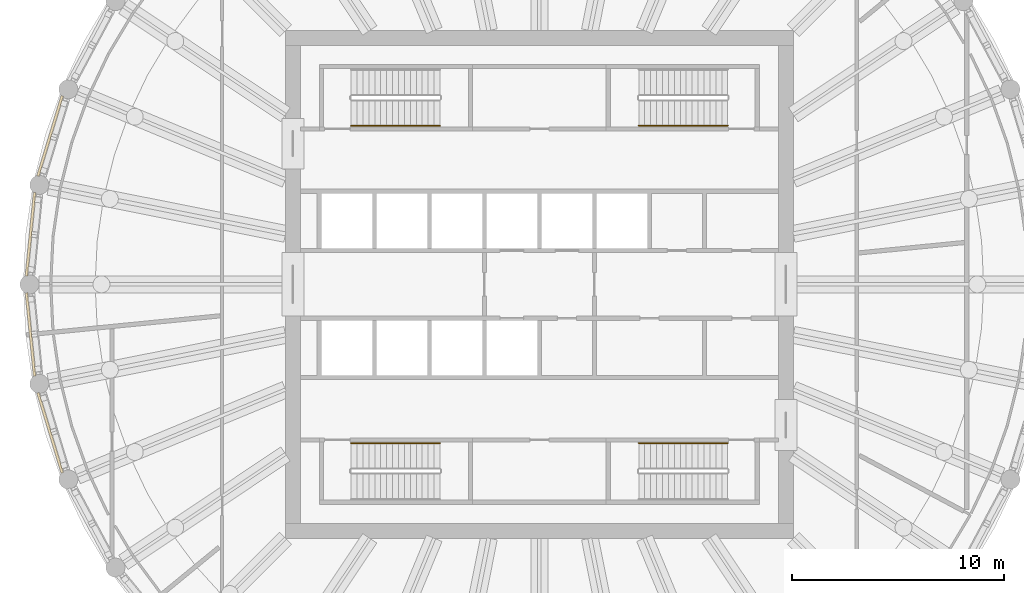
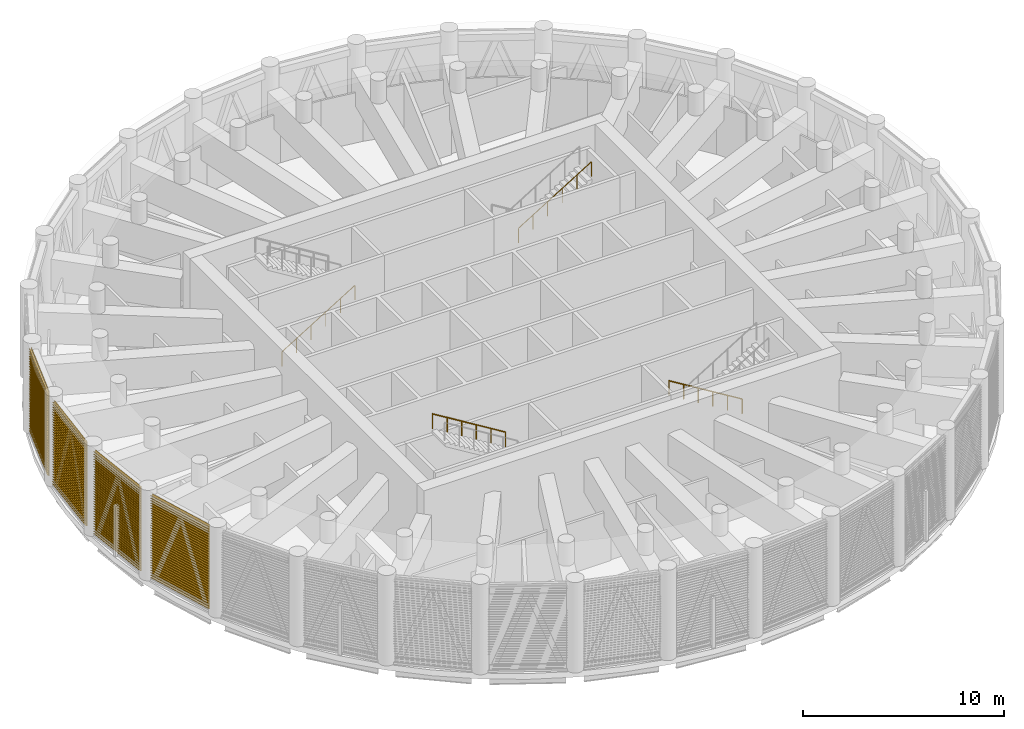
# One storey, part 14 of 19: 4 railings, 4 shading devices, 4 elements without a shape of their own.
"""IFC4 building model written with IfcOpenShell, lengths in metres."""

from ifc_helpers import new_model, si_unit, direction, frame, origin, origin_2d, place, context, subcontext, project, spatial, polyline, circle, outline, extrude, material, material_profile, profile_set, type_object, element, aggregate, save


model = new_model("IFC4")

# Units and contexts
model_context = context("Model", 3, precision=1e-05, world=origin(), true_north=direction((0.0, 1.0)))
body_context = subcontext(model_context, "Body", "Model", "MODEL_VIEW")
ifc_project = project(units=[si_unit("LENGTHUNIT", "METRE"), si_unit("AREAUNIT", "SQUARE_METRE"), si_unit("VOLUMEUNIT", "CUBIC_METRE"), si_unit("PLANEANGLEUNIT", "RADIAN"), si_unit("MASSUNIT", "GRAM", prefix="KILO")], contexts=[model_context])

# Site, building, storey
site_placement = place(None, origin())
site = spatial("IfcSite", under=ifc_project, at=site_placement, CompositionType="ELEMENT")
building_placement = place(site_placement, origin())
building = spatial("IfcBuilding", under=site, at=building_placement, Name="Corvane Civic Tower", CompositionType="ELEMENT")
storey_placement = place(building_placement, frame((0.0, 0.0, 319.0)))
storey = spatial("IfcBuildingStorey", under=building, at=storey_placement, Name="L76", CompositionType="ELEMENT", Elevation=319.0)

# Railings
ifc_material_1 = material(Name="Steel ASTM A572 Gr 50", Category="steel")
railing_type = type_object("IfcRailingType", Name="ST-HANDRAIL-900", PredefinedType="HANDRAIL", material=ifc_material_1)
railing_1_placement = place(storey_placement, frame((4.699951171875, 7.5, 2.921875)))
element("IfcRailing", 1, at=railing_1_placement, inside=storey, type_object=railing_type, Name="L76 ST1 stair handrail 2", PredefinedType="HANDRAIL", context=body_context, shape_type="SweptSolid", body=[
    extrude(circle(Radius=0.02392578125, at=origin_2d()), frame((0.0, 0.0, 0.8759765625), z_axis=(0.852242915053, 0.0, 0.523146264196), x_axis=(0.0, 1.0, 0.0)), (0.0, 0.0, 1.0), 4.92822265625),
    extrude(circle(Radius=0.02099609375, at=origin_2d()), origin(), (0.0, 0.0, 1.0), 0.851806640625),
    extrude(circle(Radius=0.02099609375, at=origin_2d()), frame((0.840087890625, 0.0, 0.515625)), (0.0, 0.0, 1.0), 0.851806640625),
    extrude(circle(Radius=0.02099609375, at=origin_2d()), frame((1.679931640625, 0.0, 1.03125)), (0.0, 0.0, 1.0), 0.851806640625),
    extrude(circle(Radius=0.02099609375, at=origin_2d()), frame((2.52001953125, 0.0, 1.546875)), (0.0, 0.0, 1.0), 0.851806640625),
    extrude(circle(Radius=0.02099609375, at=origin_2d()), frame((3.35986328125, 0.0, 2.0625)), (0.0, 0.0, 1.0), 0.851806640625),
    extrude(circle(Radius=0.02099609375, at=origin_2d()), frame((4.199951171875, 0.0, 2.578125)), (0.0, 0.0, 1.0), 0.851806640625),
])
for number, where, name in (
    (2, (8.89990234375, -7.5, 0.171875), "L76 ST2 stair handrail 1"),
    (3, (-4.699951171875, -7.5, 2.921875), "L76 ST3 stair handrail 2"),
):
    element("IfcRailing", number, at=place(storey_placement, frame(where)), inside=storey, type_object=railing_type, Name=name, PredefinedType="HANDRAIL", context=body_context, shape_type="SweptSolid", body=[
        extrude(circle(Radius=0.02392578125, at=origin_2d()), frame((0.0, 0.0, 0.8759765625), z_axis=(-0.852242915053, 0.0, 0.523146264196), x_axis=(0.0, -1.0, 0.0)), (0.0, 0.0, 1.0), 4.92822265625),
        extrude(circle(Radius=0.02099609375, at=origin_2d()), origin(), (0.0, 0.0, 1.0), 0.851806640625),
        extrude(circle(Radius=0.02099609375, at=origin_2d()), frame((-0.840087890625, 0.0, 0.515625)), (0.0, 0.0, 1.0), 0.851806640625),
        extrude(circle(Radius=0.02099609375, at=origin_2d()), frame((-1.679931640625, 0.0, 1.03125)), (0.0, 0.0, 1.0), 0.851806640625),
        extrude(circle(Radius=0.02099609375, at=origin_2d()), frame((-2.52001953125, 0.0, 1.546875)), (0.0, 0.0, 1.0), 0.851806640625),
        extrude(circle(Radius=0.02099609375, at=origin_2d()), frame((-3.35986328125, 0.0, 2.0625)), (0.0, 0.0, 1.0), 0.851806640625),
        extrude(circle(Radius=0.02099609375, at=origin_2d()), frame((-4.199951171875, 0.0, 2.578125)), (0.0, 0.0, 1.0), 0.851806640625),
    ])
railing_2_placement = place(storey_placement, frame((-8.89990234375, 7.5, 0.171875)))
element("IfcRailing", 4, at=railing_2_placement, inside=storey, type_object=railing_type, Name="L76 ST4 stair handrail 1", PredefinedType="HANDRAIL", context=body_context, shape_type="SweptSolid", body=[
    extrude(circle(Radius=0.02392578125, at=origin_2d()), frame((0.0, 0.0, 0.8759765625), z_axis=(0.852242915053, 0.0, 0.523146264196), x_axis=(0.0, 1.0, 0.0)), (0.0, 0.0, 1.0), 4.92822265625),
    extrude(circle(Radius=0.02099609375, at=origin_2d()), origin(), (0.0, 0.0, 1.0), 0.851806640625),
    extrude(circle(Radius=0.02099609375, at=origin_2d()), frame((0.840087890625, 0.0, 0.515625)), (0.0, 0.0, 1.0), 0.851806640625),
    extrude(circle(Radius=0.02099609375, at=origin_2d()), frame((1.679931640625, 0.0, 1.03125)), (0.0, 0.0, 1.0), 0.851806640625),
    extrude(circle(Radius=0.02099609375, at=origin_2d()), frame((2.52001953125, 0.0, 1.546875)), (0.0, 0.0, 1.0), 0.851806640625),
    extrude(circle(Radius=0.02099609375, at=origin_2d()), frame((3.35986328125, 0.0, 2.0625)), (0.0, 0.0, 1.0), 0.851806640625),
    extrude(circle(Radius=0.02099609375, at=origin_2d()), frame((4.199951171875, 0.0, 2.578125)), (0.0, 0.0, 1.0), 0.851806640625),
])

# Curtain wall, shading device
ifc_material_2 = material(Name="Anodised aluminium bronze", Category="aluminium")
curtain_wall_type = type_object("IfcCurtainWallType", Name="TOWER CW-LV LOUVRE SCREEN WALL", PredefinedType="NOTDEFINED", material=ifc_material_2)
curtain_wall_1_placement = place(storey_placement, origin())
curtain_wall_1 = element("IfcCurtainWall", 5, at=curtain_wall_1_placement, inside=storey, type_object=curtain_wall_type, Name="Louvre screen wall CW-LV L76 bay 23", PredefinedType="NOTDEFINED")
ifc_material_3 = material(Name="Anodised aluminium bronze", Category="aluminium")
ifc_material_profile = material_profile(ifc_material_3, outline(polyline([(-0.06005859375, -2.56494140625), (-0.0400390625, -2.56494140625), (0.06005859375, -2.492919921875), (0.06005859375, -2.472900390625), (-0.0400390625, -2.544921875), (-0.0400390625, -2.4140625), (0.06005859375, -2.342041015625), (0.06005859375, -2.322021484375), (-0.0400390625, -2.39404296875), (-0.0400390625, -2.26318359375), (0.06005859375, -2.191162109375), (0.06005859375, -2.171142578125), (-0.0400390625, -2.2431640625), (-0.0400390625, -2.1123046875), (0.06005859375, -2.040283203125), (0.06005859375, -2.0205078125), (-0.0400390625, -2.09228515625), (-0.0400390625, -1.96142578125), (0.06005859375, -1.889404296875), (0.06005859375, -1.869384765625), (-0.0400390625, -1.94140625), (-0.0400390625, -1.810546875), (0.06005859375, -1.738525390625), (0.06005859375, -1.718505859375), (-0.0400390625, -1.79052734375), (-0.0400390625, -1.65966796875), (0.06005859375, -1.587646484375), (0.06005859375, -1.567626953125), (-0.0400390625, -1.6396484375), (-0.0400390625, -1.5087890625), (0.06005859375, -1.436767578125), (0.06005859375, -1.416748046875), (-0.0400390625, -1.48876953125), (-0.0400390625, -1.35791015625), (0.06005859375, -1.285888671875), (0.06005859375, -1.265869140625), (-0.0400390625, -1.337890625), (-0.0400390625, -1.20703125), (0.06005859375, -1.135009765625), (0.06005859375, -1.114990234375), (-0.0400390625, -1.18701171875), (-0.0400390625, -1.05615234375), (0.06005859375, -0.984130859375), (0.06005859375, -0.964111328125), (-0.0400390625, -1.0361328125), (-0.0400390625, -0.9052734375), (0.06005859375, -0.833251953125), (0.06005859375, -0.813232421875), (-0.0400390625, -0.88525390625), (-0.0400390625, -0.75439453125), (0.06005859375, -0.682373046875), (0.06005859375, -0.662353515625), (-0.0400390625, -0.734375), (-0.0400390625, -0.603515625), (0.06005859375, -0.531494140625), (0.06005859375, -0.511474609375), (-0.0400390625, -0.58349609375), (-0.0400390625, -0.45263671875), (0.06005859375, -0.380615234375), (0.06005859375, -0.360595703125), (-0.0400390625, -0.4326171875), (-0.0400390625, -0.3017578125), (0.06005859375, -0.229736328125), (0.06005859375, -0.209716796875), (-0.0400390625, -0.28173828125), (-0.0400390625, -0.15087890625), (0.06005859375, -0.078857421875), (0.06005859375, -0.058837890625), (-0.0400390625, -0.130859375), (-0.0400390625, 0.0), (0.06005859375, 0.072021484375), (0.06005859375, 0.092041015625), (-0.0400390625, 0.02001953125), (-0.0400390625, 0.15087890625), (0.06005859375, 0.222900390625), (0.06005859375, 0.242919921875), (-0.0400390625, 0.1708984375), (-0.0400390625, 0.3017578125), (0.06005859375, 0.373779296875), (0.06005859375, 0.393798828125), (-0.0400390625, 0.32177734375), (-0.0400390625, 0.45263671875), (0.06005859375, 0.524658203125), (0.06005859375, 0.544677734375), (-0.0400390625, 0.47265625), (-0.0400390625, 0.603515625), (0.06005859375, 0.675537109375), (0.06005859375, 0.695556640625), (-0.0400390625, 0.62353515625), (-0.0400390625, 0.75439453125), (0.06005859375, 0.826416015625), (0.06005859375, 0.846435546875), (-0.0400390625, 0.7744140625), (-0.0400390625, 0.9052734375), (0.06005859375, 0.977294921875), (0.06005859375, 0.997314453125), (-0.0400390625, 0.92529296875), (-0.0400390625, 1.05615234375), (0.06005859375, 1.128173828125), (0.06005859375, 1.148193359375), (-0.0400390625, 1.076171875), (-0.0400390625, 1.20703125), (0.06005859375, 1.279052734375), (0.06005859375, 1.299072265625), (-0.0400390625, 1.22705078125), (-0.0400390625, 1.35791015625), (0.06005859375, 1.429931640625), (0.06005859375, 1.449951171875), (-0.0400390625, 1.3779296875), (-0.0400390625, 1.5087890625), (0.06005859375, 1.580810546875), (0.06005859375, 1.600830078125), (-0.0400390625, 1.52880859375), (-0.0400390625, 1.65966796875), (0.06005859375, 1.731689453125), (0.06005859375, 1.751708984375), (-0.0400390625, 1.6796875), (-0.0400390625, 1.810546875), (0.06005859375, 1.882568359375), (0.06005859375, 1.902587890625), (-0.0400390625, 1.83056640625), (-0.0400390625, 1.96142578125), (0.06005859375, 2.033447265625), (0.06005859375, 2.053466796875), (-0.0400390625, 1.9814453125), (-0.0400390625, 2.1123046875), (0.06005859375, 2.184326171875), (0.06005859375, 2.204345703125), (-0.0400390625, 2.13232421875), (-0.0400390625, 2.26318359375), (0.06005859375, 2.335205078125), (0.06005859375, 2.355224609375), (-0.0400390625, 2.283203125), (-0.0400390625, 2.4140625), (0.06005859375, 2.486083984375), (0.06005859375, 2.506103515625), (-0.0400390625, 2.43408203125), (-0.0400390625, 2.56494140625), (-0.06005859375, 2.56494140625), (-0.06005859375, -2.56494140625)])), Name="TOWER LOUVRE BANK 5130 BRONZE")
ifc_profile_set = profile_set([ifc_material_profile], Name="Anodised aluminium bronze")
shading_device_type = type_object("IfcShadingDeviceType", Name="TOWER LOUVRE BANK 5130 BRONZE", PredefinedType="USERDEFINED", material=ifc_profile_set)
shading_device_1_placement = place(storey_placement, frame((-22.548095703125, -8.908447265625, 2.68505859375), z_axis=(-0.290265825309, 0.956946054205, 0.0), x_axis=(-0.956946054205, -0.290265825309, 0.0)))
shading_device_1 = element("IfcShadingDevice", 6, at=shading_device_1_placement, type_object=shading_device_type, Name="Louvre bank L76 23.1", ObjectType="LOUVRE", PredefinedType="USERDEFINED", context=body_context, shape_type="SweptSolid", body=[
    extrude(outline(polyline([(-0.06005859375, -2.56494140625), (-0.0400390625, -2.56494140625), (0.06005859375, -2.492919921875), (0.06005859375, -2.472900390625), (-0.0400390625, -2.544921875), (-0.0400390625, -2.4140625), (0.06005859375, -2.342041015625), (0.06005859375, -2.322021484375), (-0.0400390625, -2.39404296875), (-0.0400390625, -2.26318359375), (0.06005859375, -2.191162109375), (0.06005859375, -2.171142578125), (-0.0400390625, -2.2431640625), (-0.0400390625, -2.1123046875), (0.06005859375, -2.040283203125), (0.06005859375, -2.0205078125), (-0.0400390625, -2.09228515625), (-0.0400390625, -1.96142578125), (0.06005859375, -1.889404296875), (0.06005859375, -1.869384765625), (-0.0400390625, -1.94140625), (-0.0400390625, -1.810546875), (0.06005859375, -1.738525390625), (0.06005859375, -1.718505859375), (-0.0400390625, -1.79052734375), (-0.0400390625, -1.65966796875), (0.06005859375, -1.587646484375), (0.06005859375, -1.567626953125), (-0.0400390625, -1.6396484375), (-0.0400390625, -1.5087890625), (0.06005859375, -1.436767578125), (0.06005859375, -1.416748046875), (-0.0400390625, -1.48876953125), (-0.0400390625, -1.35791015625), (0.06005859375, -1.285888671875), (0.06005859375, -1.265869140625), (-0.0400390625, -1.337890625), (-0.0400390625, -1.20703125), (0.06005859375, -1.135009765625), (0.06005859375, -1.114990234375), (-0.0400390625, -1.18701171875), (-0.0400390625, -1.05615234375), (0.06005859375, -0.984130859375), (0.06005859375, -0.964111328125), (-0.0400390625, -1.0361328125), (-0.0400390625, -0.9052734375), (0.06005859375, -0.833251953125), (0.06005859375, -0.813232421875), (-0.0400390625, -0.88525390625), (-0.0400390625, -0.75439453125), (0.06005859375, -0.682373046875), (0.06005859375, -0.662353515625), (-0.0400390625, -0.734375), (-0.0400390625, -0.603515625), (0.06005859375, -0.531494140625), (0.06005859375, -0.511474609375), (-0.0400390625, -0.58349609375), (-0.0400390625, -0.45263671875), (0.06005859375, -0.380615234375), (0.06005859375, -0.360595703125), (-0.0400390625, -0.4326171875), (-0.0400390625, -0.3017578125), (0.06005859375, -0.229736328125), (0.06005859375, -0.209716796875), (-0.0400390625, -0.28173828125), (-0.0400390625, -0.15087890625), (0.06005859375, -0.078857421875), (0.06005859375, -0.058837890625), (-0.0400390625, -0.130859375), (-0.0400390625, 0.0), (0.06005859375, 0.072021484375), (0.06005859375, 0.092041015625), (-0.0400390625, 0.02001953125), (-0.0400390625, 0.15087890625), (0.06005859375, 0.222900390625), (0.06005859375, 0.242919921875), (-0.0400390625, 0.1708984375), (-0.0400390625, 0.3017578125), (0.06005859375, 0.373779296875), (0.06005859375, 0.393798828125), (-0.0400390625, 0.32177734375), (-0.0400390625, 0.45263671875), (0.06005859375, 0.524658203125), (0.06005859375, 0.544677734375), (-0.0400390625, 0.47265625), (-0.0400390625, 0.603515625), (0.06005859375, 0.675537109375), (0.06005859375, 0.695556640625), (-0.0400390625, 0.62353515625), (-0.0400390625, 0.75439453125), (0.06005859375, 0.826416015625), (0.06005859375, 0.846435546875), (-0.0400390625, 0.7744140625), (-0.0400390625, 0.9052734375), (0.06005859375, 0.977294921875), (0.06005859375, 0.997314453125), (-0.0400390625, 0.92529296875), (-0.0400390625, 1.05615234375), (0.06005859375, 1.128173828125), (0.06005859375, 1.148193359375), (-0.0400390625, 1.076171875), (-0.0400390625, 1.20703125), (0.06005859375, 1.279052734375), (0.06005859375, 1.299072265625), (-0.0400390625, 1.22705078125), (-0.0400390625, 1.35791015625), (0.06005859375, 1.429931640625), (0.06005859375, 1.449951171875), (-0.0400390625, 1.3779296875), (-0.0400390625, 1.5087890625), (0.06005859375, 1.580810546875), (0.06005859375, 1.600830078125), (-0.0400390625, 1.52880859375), (-0.0400390625, 1.65966796875), (0.06005859375, 1.731689453125), (0.06005859375, 1.751708984375), (-0.0400390625, 1.6796875), (-0.0400390625, 1.810546875), (0.06005859375, 1.882568359375), (0.06005859375, 1.902587890625), (-0.0400390625, 1.83056640625), (-0.0400390625, 1.96142578125), (0.06005859375, 2.033447265625), (0.06005859375, 2.053466796875), (-0.0400390625, 1.9814453125), (-0.0400390625, 2.1123046875), (0.06005859375, 2.184326171875), (0.06005859375, 2.204345703125), (-0.0400390625, 2.13232421875), (-0.0400390625, 2.26318359375), (0.06005859375, 2.335205078125), (0.06005859375, 2.355224609375), (-0.0400390625, 2.283203125), (-0.0400390625, 2.4140625), (0.06005859375, 2.486083984375), (0.06005859375, 2.506103515625), (-0.0400390625, 2.43408203125), (-0.0400390625, 2.56494140625), (-0.06005859375, 2.56494140625), (-0.06005859375, -2.56494140625)])), origin(), (0.0, 0.0, 1.0), 3.958984375),
])
aggregate(curtain_wall_1, [shading_device_1])

curtain_wall_2_placement = place(storey_placement, origin())
curtain_wall_2 = element("IfcCurtainWall", 7, at=curtain_wall_2_placement, inside=storey, type_object=curtain_wall_type, Name="Louvre screen wall CW-LV L76 bay 24", PredefinedType="NOTDEFINED")
shading_device_2_placement = place(storey_placement, frame((-23.852783203125, -4.338134765625, 2.68505859375), z_axis=(-0.097995409999, 0.995186866683, 0.0), x_axis=(-0.995186866683, -0.097995409999, 0.0)))
shading_device_2 = element("IfcShadingDevice", 8, at=shading_device_2_placement, type_object=shading_device_type, Name="Louvre bank L76 24.1", ObjectType="LOUVRE", PredefinedType="USERDEFINED", context=body_context, shape_type="SweptSolid", body=[
    extrude(outline(polyline([(-0.06005859375, -2.56494140625), (-0.0400390625, -2.56494140625), (0.06005859375, -2.492919921875), (0.06005859375, -2.472900390625), (-0.0400390625, -2.544921875), (-0.0400390625, -2.4140625), (0.06005859375, -2.342041015625), (0.06005859375, -2.322021484375), (-0.0400390625, -2.39404296875), (-0.0400390625, -2.26318359375), (0.06005859375, -2.191162109375), (0.06005859375, -2.171142578125), (-0.0400390625, -2.2431640625), (-0.0400390625, -2.1123046875), (0.06005859375, -2.040283203125), (0.06005859375, -2.0205078125), (-0.0400390625, -2.09228515625), (-0.0400390625, -1.96142578125), (0.06005859375, -1.889404296875), (0.06005859375, -1.869384765625), (-0.0400390625, -1.94140625), (-0.0400390625, -1.810546875), (0.06005859375, -1.738525390625), (0.06005859375, -1.718505859375), (-0.0400390625, -1.79052734375), (-0.0400390625, -1.65966796875), (0.06005859375, -1.587646484375), (0.06005859375, -1.567626953125), (-0.0400390625, -1.6396484375), (-0.0400390625, -1.5087890625), (0.06005859375, -1.436767578125), (0.06005859375, -1.416748046875), (-0.0400390625, -1.48876953125), (-0.0400390625, -1.35791015625), (0.06005859375, -1.285888671875), (0.06005859375, -1.265869140625), (-0.0400390625, -1.337890625), (-0.0400390625, -1.20703125), (0.06005859375, -1.135009765625), (0.06005859375, -1.114990234375), (-0.0400390625, -1.18701171875), (-0.0400390625, -1.05615234375), (0.06005859375, -0.984130859375), (0.06005859375, -0.964111328125), (-0.0400390625, -1.0361328125), (-0.0400390625, -0.9052734375), (0.06005859375, -0.833251953125), (0.06005859375, -0.813232421875), (-0.0400390625, -0.88525390625), (-0.0400390625, -0.75439453125), (0.06005859375, -0.682373046875), (0.06005859375, -0.662353515625), (-0.0400390625, -0.734375), (-0.0400390625, -0.603515625), (0.06005859375, -0.531494140625), (0.06005859375, -0.511474609375), (-0.0400390625, -0.58349609375), (-0.0400390625, -0.45263671875), (0.06005859375, -0.380615234375), (0.06005859375, -0.360595703125), (-0.0400390625, -0.4326171875), (-0.0400390625, -0.3017578125), (0.06005859375, -0.229736328125), (0.06005859375, -0.209716796875), (-0.0400390625, -0.28173828125), (-0.0400390625, -0.15087890625), (0.06005859375, -0.078857421875), (0.06005859375, -0.058837890625), (-0.0400390625, -0.130859375), (-0.0400390625, 0.0), (0.06005859375, 0.072021484375), (0.06005859375, 0.092041015625), (-0.0400390625, 0.02001953125), (-0.0400390625, 0.15087890625), (0.06005859375, 0.222900390625), (0.06005859375, 0.242919921875), (-0.0400390625, 0.1708984375), (-0.0400390625, 0.3017578125), (0.06005859375, 0.373779296875), (0.06005859375, 0.393798828125), (-0.0400390625, 0.32177734375), (-0.0400390625, 0.45263671875), (0.06005859375, 0.524658203125), (0.06005859375, 0.544677734375), (-0.0400390625, 0.47265625), (-0.0400390625, 0.603515625), (0.06005859375, 0.675537109375), (0.06005859375, 0.695556640625), (-0.0400390625, 0.62353515625), (-0.0400390625, 0.75439453125), (0.06005859375, 0.826416015625), (0.06005859375, 0.846435546875), (-0.0400390625, 0.7744140625), (-0.0400390625, 0.9052734375), (0.06005859375, 0.977294921875), (0.06005859375, 0.997314453125), (-0.0400390625, 0.92529296875), (-0.0400390625, 1.05615234375), (0.06005859375, 1.128173828125), (0.06005859375, 1.148193359375), (-0.0400390625, 1.076171875), (-0.0400390625, 1.20703125), (0.06005859375, 1.279052734375), (0.06005859375, 1.299072265625), (-0.0400390625, 1.22705078125), (-0.0400390625, 1.35791015625), (0.06005859375, 1.429931640625), (0.06005859375, 1.449951171875), (-0.0400390625, 1.3779296875), (-0.0400390625, 1.5087890625), (0.06005859375, 1.580810546875), (0.06005859375, 1.600830078125), (-0.0400390625, 1.52880859375), (-0.0400390625, 1.65966796875), (0.06005859375, 1.731689453125), (0.06005859375, 1.751708984375), (-0.0400390625, 1.6796875), (-0.0400390625, 1.810546875), (0.06005859375, 1.882568359375), (0.06005859375, 1.902587890625), (-0.0400390625, 1.83056640625), (-0.0400390625, 1.96142578125), (0.06005859375, 2.033447265625), (0.06005859375, 2.053466796875), (-0.0400390625, 1.9814453125), (-0.0400390625, 2.1123046875), (0.06005859375, 2.184326171875), (0.06005859375, 2.204345703125), (-0.0400390625, 2.13232421875), (-0.0400390625, 2.26318359375), (0.06005859375, 2.335205078125), (0.06005859375, 2.355224609375), (-0.0400390625, 2.283203125), (-0.0400390625, 2.4140625), (0.06005859375, 2.486083984375), (0.06005859375, 2.506103515625), (-0.0400390625, 2.43408203125), (-0.0400390625, 2.56494140625), (-0.06005859375, 2.56494140625), (-0.06005859375, -2.56494140625)])), origin(), (0.0, 0.0, 1.0), 3.958740234375),
])
aggregate(curtain_wall_2, [shading_device_2])

curtain_wall_3_placement = place(storey_placement, origin())
curtain_wall_3 = element("IfcCurtainWall", 9, at=curtain_wall_3_placement, inside=storey, type_object=curtain_wall_type, Name="Louvre screen wall CW-LV L76 bay 25", PredefinedType="NOTDEFINED")
shading_device_3_placement = place(storey_placement, frame((-24.24072265625, 0.3984375, 2.68505859375), z_axis=(0.097995409999, 0.995186866683, 0.0), x_axis=(-0.995186866683, 0.097995409999, 0.0)))
shading_device_3 = element("IfcShadingDevice", 10, at=shading_device_3_placement, type_object=shading_device_type, Name="Louvre bank L76 25.1", ObjectType="LOUVRE", PredefinedType="USERDEFINED", context=body_context, shape_type="SweptSolid", body=[
    extrude(outline(polyline([(-0.06005859375, -2.56494140625), (-0.0400390625, -2.56494140625), (0.06005859375, -2.492919921875), (0.06005859375, -2.472900390625), (-0.0400390625, -2.544921875), (-0.0400390625, -2.4140625), (0.06005859375, -2.342041015625), (0.06005859375, -2.322021484375), (-0.0400390625, -2.39404296875), (-0.0400390625, -2.26318359375), (0.06005859375, -2.191162109375), (0.06005859375, -2.171142578125), (-0.0400390625, -2.2431640625), (-0.0400390625, -2.1123046875), (0.06005859375, -2.040283203125), (0.06005859375, -2.0205078125), (-0.0400390625, -2.09228515625), (-0.0400390625, -1.96142578125), (0.06005859375, -1.889404296875), (0.06005859375, -1.869384765625), (-0.0400390625, -1.94140625), (-0.0400390625, -1.810546875), (0.06005859375, -1.738525390625), (0.06005859375, -1.718505859375), (-0.0400390625, -1.79052734375), (-0.0400390625, -1.65966796875), (0.06005859375, -1.587646484375), (0.06005859375, -1.567626953125), (-0.0400390625, -1.6396484375), (-0.0400390625, -1.5087890625), (0.06005859375, -1.436767578125), (0.06005859375, -1.416748046875), (-0.0400390625, -1.48876953125), (-0.0400390625, -1.35791015625), (0.06005859375, -1.285888671875), (0.06005859375, -1.265869140625), (-0.0400390625, -1.337890625), (-0.0400390625, -1.20703125), (0.06005859375, -1.135009765625), (0.06005859375, -1.114990234375), (-0.0400390625, -1.18701171875), (-0.0400390625, -1.05615234375), (0.06005859375, -0.984130859375), (0.06005859375, -0.964111328125), (-0.0400390625, -1.0361328125), (-0.0400390625, -0.9052734375), (0.06005859375, -0.833251953125), (0.06005859375, -0.813232421875), (-0.0400390625, -0.88525390625), (-0.0400390625, -0.75439453125), (0.06005859375, -0.682373046875), (0.06005859375, -0.662353515625), (-0.0400390625, -0.734375), (-0.0400390625, -0.603515625), (0.06005859375, -0.531494140625), (0.06005859375, -0.511474609375), (-0.0400390625, -0.58349609375), (-0.0400390625, -0.45263671875), (0.06005859375, -0.380615234375), (0.06005859375, -0.360595703125), (-0.0400390625, -0.4326171875), (-0.0400390625, -0.3017578125), (0.06005859375, -0.229736328125), (0.06005859375, -0.209716796875), (-0.0400390625, -0.28173828125), (-0.0400390625, -0.15087890625), (0.06005859375, -0.078857421875), (0.06005859375, -0.058837890625), (-0.0400390625, -0.130859375), (-0.0400390625, 0.0), (0.06005859375, 0.072021484375), (0.06005859375, 0.092041015625), (-0.0400390625, 0.02001953125), (-0.0400390625, 0.15087890625), (0.06005859375, 0.222900390625), (0.06005859375, 0.242919921875), (-0.0400390625, 0.1708984375), (-0.0400390625, 0.3017578125), (0.06005859375, 0.373779296875), (0.06005859375, 0.393798828125), (-0.0400390625, 0.32177734375), (-0.0400390625, 0.45263671875), (0.06005859375, 0.524658203125), (0.06005859375, 0.544677734375), (-0.0400390625, 0.47265625), (-0.0400390625, 0.603515625), (0.06005859375, 0.675537109375), (0.06005859375, 0.695556640625), (-0.0400390625, 0.62353515625), (-0.0400390625, 0.75439453125), (0.06005859375, 0.826416015625), (0.06005859375, 0.846435546875), (-0.0400390625, 0.7744140625), (-0.0400390625, 0.9052734375), (0.06005859375, 0.977294921875), (0.06005859375, 0.997314453125), (-0.0400390625, 0.92529296875), (-0.0400390625, 1.05615234375), (0.06005859375, 1.128173828125), (0.06005859375, 1.148193359375), (-0.0400390625, 1.076171875), (-0.0400390625, 1.20703125), (0.06005859375, 1.279052734375), (0.06005859375, 1.299072265625), (-0.0400390625, 1.22705078125), (-0.0400390625, 1.35791015625), (0.06005859375, 1.429931640625), (0.06005859375, 1.449951171875), (-0.0400390625, 1.3779296875), (-0.0400390625, 1.5087890625), (0.06005859375, 1.580810546875), (0.06005859375, 1.600830078125), (-0.0400390625, 1.52880859375), (-0.0400390625, 1.65966796875), (0.06005859375, 1.731689453125), (0.06005859375, 1.751708984375), (-0.0400390625, 1.6796875), (-0.0400390625, 1.810546875), (0.06005859375, 1.882568359375), (0.06005859375, 1.902587890625), (-0.0400390625, 1.83056640625), (-0.0400390625, 1.96142578125), (0.06005859375, 2.033447265625), (0.06005859375, 2.053466796875), (-0.0400390625, 1.9814453125), (-0.0400390625, 2.1123046875), (0.06005859375, 2.184326171875), (0.06005859375, 2.204345703125), (-0.0400390625, 2.13232421875), (-0.0400390625, 2.26318359375), (0.06005859375, 2.335205078125), (0.06005859375, 2.355224609375), (-0.0400390625, 2.283203125), (-0.0400390625, 2.4140625), (0.06005859375, 2.486083984375), (0.06005859375, 2.506103515625), (-0.0400390625, 2.43408203125), (-0.0400390625, 2.56494140625), (-0.06005859375, 2.56494140625), (-0.06005859375, -2.56494140625)])), origin(), (0.0, 0.0, 1.0), 3.958740234375),
])
aggregate(curtain_wall_3, [shading_device_3])

curtain_wall_4_placement = place(storey_placement, origin())
curtain_wall_4 = element("IfcCurtainWall", 11, at=curtain_wall_4_placement, inside=storey, type_object=curtain_wall_type, Name="Louvre screen wall CW-LV L76 bay 26", PredefinedType="NOTDEFINED")
shading_device_4_placement = place(storey_placement, frame((-23.697265625, 5.119873046875, 2.68505859375), z_axis=(0.290265825309, 0.956946054205, 0.0), x_axis=(-0.956946054205, 0.290265825309, 0.0)))
shading_device_4 = element("IfcShadingDevice", 12, at=shading_device_4_placement, type_object=shading_device_type, Name="Louvre bank L76 26.1", ObjectType="LOUVRE", PredefinedType="USERDEFINED", context=body_context, shape_type="SweptSolid", body=[
    extrude(outline(polyline([(-0.06005859375, -2.56494140625), (-0.0400390625, -2.56494140625), (0.06005859375, -2.492919921875), (0.06005859375, -2.472900390625), (-0.0400390625, -2.544921875), (-0.0400390625, -2.4140625), (0.06005859375, -2.342041015625), (0.06005859375, -2.322021484375), (-0.0400390625, -2.39404296875), (-0.0400390625, -2.26318359375), (0.06005859375, -2.191162109375), (0.06005859375, -2.171142578125), (-0.0400390625, -2.2431640625), (-0.0400390625, -2.1123046875), (0.06005859375, -2.040283203125), (0.06005859375, -2.0205078125), (-0.0400390625, -2.09228515625), (-0.0400390625, -1.96142578125), (0.06005859375, -1.889404296875), (0.06005859375, -1.869384765625), (-0.0400390625, -1.94140625), (-0.0400390625, -1.810546875), (0.06005859375, -1.738525390625), (0.06005859375, -1.718505859375), (-0.0400390625, -1.79052734375), (-0.0400390625, -1.65966796875), (0.06005859375, -1.587646484375), (0.06005859375, -1.567626953125), (-0.0400390625, -1.6396484375), (-0.0400390625, -1.5087890625), (0.06005859375, -1.436767578125), (0.06005859375, -1.416748046875), (-0.0400390625, -1.48876953125), (-0.0400390625, -1.35791015625), (0.06005859375, -1.285888671875), (0.06005859375, -1.265869140625), (-0.0400390625, -1.337890625), (-0.0400390625, -1.20703125), (0.06005859375, -1.135009765625), (0.06005859375, -1.114990234375), (-0.0400390625, -1.18701171875), (-0.0400390625, -1.05615234375), (0.06005859375, -0.984130859375), (0.06005859375, -0.964111328125), (-0.0400390625, -1.0361328125), (-0.0400390625, -0.9052734375), (0.06005859375, -0.833251953125), (0.06005859375, -0.813232421875), (-0.0400390625, -0.88525390625), (-0.0400390625, -0.75439453125), (0.06005859375, -0.682373046875), (0.06005859375, -0.662353515625), (-0.0400390625, -0.734375), (-0.0400390625, -0.603515625), (0.06005859375, -0.531494140625), (0.06005859375, -0.511474609375), (-0.0400390625, -0.58349609375), (-0.0400390625, -0.45263671875), (0.06005859375, -0.380615234375), (0.06005859375, -0.360595703125), (-0.0400390625, -0.4326171875), (-0.0400390625, -0.3017578125), (0.06005859375, -0.229736328125), (0.06005859375, -0.209716796875), (-0.0400390625, -0.28173828125), (-0.0400390625, -0.15087890625), (0.06005859375, -0.078857421875), (0.06005859375, -0.058837890625), (-0.0400390625, -0.130859375), (-0.0400390625, 0.0), (0.06005859375, 0.072021484375), (0.06005859375, 0.092041015625), (-0.0400390625, 0.02001953125), (-0.0400390625, 0.15087890625), (0.06005859375, 0.222900390625), (0.06005859375, 0.242919921875), (-0.0400390625, 0.1708984375), (-0.0400390625, 0.3017578125), (0.06005859375, 0.373779296875), (0.06005859375, 0.393798828125), (-0.0400390625, 0.32177734375), (-0.0400390625, 0.45263671875), (0.06005859375, 0.524658203125), (0.06005859375, 0.544677734375), (-0.0400390625, 0.47265625), (-0.0400390625, 0.603515625), (0.06005859375, 0.675537109375), (0.06005859375, 0.695556640625), (-0.0400390625, 0.62353515625), (-0.0400390625, 0.75439453125), (0.06005859375, 0.826416015625), (0.06005859375, 0.846435546875), (-0.0400390625, 0.7744140625), (-0.0400390625, 0.9052734375), (0.06005859375, 0.977294921875), (0.06005859375, 0.997314453125), (-0.0400390625, 0.92529296875), (-0.0400390625, 1.05615234375), (0.06005859375, 1.128173828125), (0.06005859375, 1.148193359375), (-0.0400390625, 1.076171875), (-0.0400390625, 1.20703125), (0.06005859375, 1.279052734375), (0.06005859375, 1.299072265625), (-0.0400390625, 1.22705078125), (-0.0400390625, 1.35791015625), (0.06005859375, 1.429931640625), (0.06005859375, 1.449951171875), (-0.0400390625, 1.3779296875), (-0.0400390625, 1.5087890625), (0.06005859375, 1.580810546875), (0.06005859375, 1.600830078125), (-0.0400390625, 1.52880859375), (-0.0400390625, 1.65966796875), (0.06005859375, 1.731689453125), (0.06005859375, 1.751708984375), (-0.0400390625, 1.6796875), (-0.0400390625, 1.810546875), (0.06005859375, 1.882568359375), (0.06005859375, 1.902587890625), (-0.0400390625, 1.83056640625), (-0.0400390625, 1.96142578125), (0.06005859375, 2.033447265625), (0.06005859375, 2.053466796875), (-0.0400390625, 1.9814453125), (-0.0400390625, 2.1123046875), (0.06005859375, 2.184326171875), (0.06005859375, 2.204345703125), (-0.0400390625, 2.13232421875), (-0.0400390625, 2.26318359375), (0.06005859375, 2.335205078125), (0.06005859375, 2.355224609375), (-0.0400390625, 2.283203125), (-0.0400390625, 2.4140625), (0.06005859375, 2.486083984375), (0.06005859375, 2.506103515625), (-0.0400390625, 2.43408203125), (-0.0400390625, 2.56494140625), (-0.06005859375, 2.56494140625), (-0.06005859375, -2.56494140625)])), origin(), (0.0, 0.0, 1.0), 3.958984375),
])
aggregate(curtain_wall_4, [shading_device_4])

save(model, "model.ifc")
